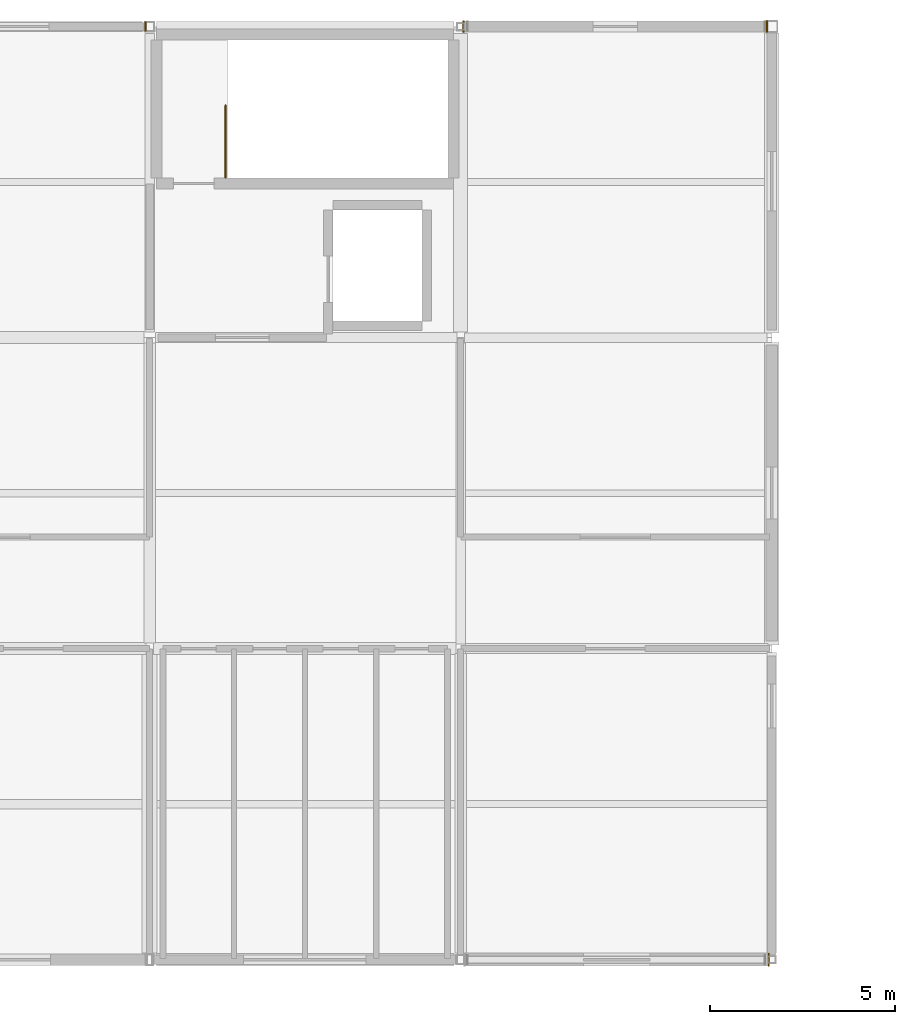
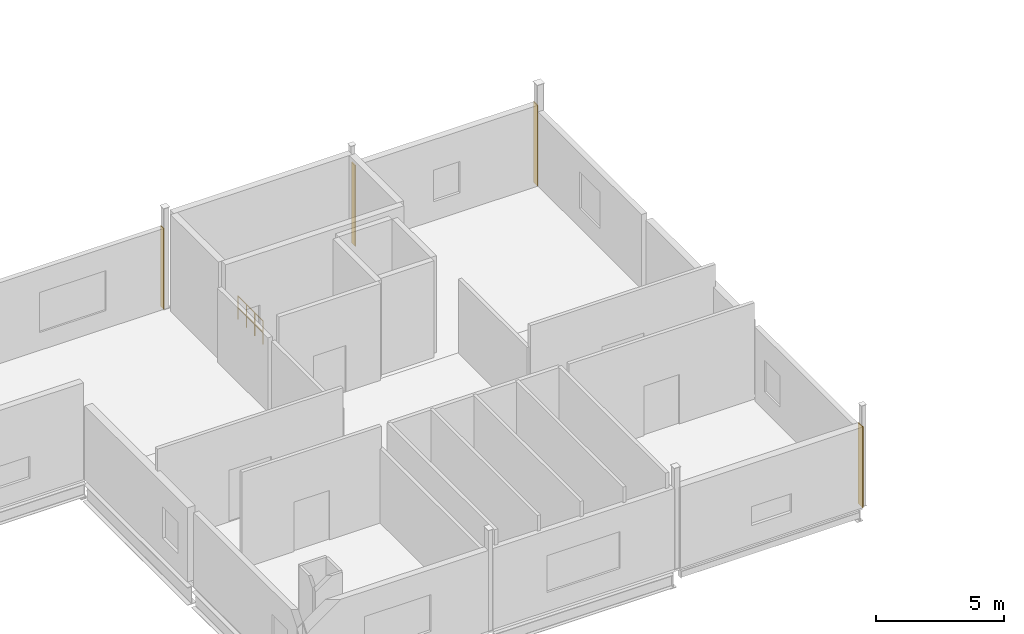
# One storey, part 25 of 27: 4 coverings, 1 railing.
"""IFC4 building model written with IfcOpenShell, lengths in metres."""

from ifc_helpers import new_model, si_unit, direction, frame, origin, origin_2d, place, context, subcontext, project, spatial, polyline, circle, outline, extrude, material, layer, layer_set, type_object, element, save


model = new_model("IFC4")

# Units and contexts
model_context = context("Model", 3, precision=1e-05, world=origin(), true_north=direction((0.0, 1.0)))
body_context = subcontext(model_context, "Body", "Model", "MODEL_VIEW")
ifc_project = project(units=[si_unit("LENGTHUNIT", "METRE"), si_unit("AREAUNIT", "SQUARE_METRE"), si_unit("VOLUMEUNIT", "CUBIC_METRE"), si_unit("PLANEANGLEUNIT", "RADIAN"), si_unit("MASSUNIT", "GRAM", prefix="KILO")], contexts=[model_context])

# Site, building, storey
site_placement = place(None, origin())
site = spatial("IfcSite", under=ifc_project, at=site_placement, CompositionType="ELEMENT")
building_placement = place(site_placement, origin())
building = spatial("IfcBuilding", under=site, at=building_placement, Name="Calvrana Isthmian Art Gallery", CompositionType="ELEMENT")
storey_placement = place(building_placement, frame((0.0, 0.0, 24.60009765625)))
storey = spatial("IfcBuildingStorey", under=building, at=storey_placement, Name="L05", CompositionType="ELEMENT", Elevation=24.60009765625)

# Coverings
ifc_material_1 = material(Name="Polychrome glazed terracotta", Category="masonry")
ifc_layer = layer(ifc_material_1, 0.0400390625, Name="Polychrome glazed terracotta")
ifc_layer_set = layer_set([ifc_layer], Name="Polychrome glazed terracotta")
covering_type = type_object("IfcCoveringType", Name="COV-CLAD-TERRA", PredefinedType="CLADDING", material=ifc_layer_set)
covering_1_placement = place(storey_placement, origin())
element("IfcCovering", 1, at=covering_1_placement, inside=storey, type_object=covering_type, Name="Column pocket weather closure L05-09-03-E", PredefinedType="CLADDING", context=body_context, shape_type="SweptSolid", body=[
    extrude(outline(polyline([(80.29833984375, 21.425048828125), (80.33837890625, 21.425048828125), (80.33837890625, 21.77490234375), (80.29833984375, 21.77490234375), (80.29833984375, 21.425048828125)])), origin(), (0.0, 0.0, 1.0), 3.84228515625),
])
covering_2_placement = place(storey_placement, origin())
element("IfcCovering", 2, at=covering_2_placement, inside=storey, type_object=covering_type, Name="Column pocket weather closure L05-07-06-E", PredefinedType="CLADDING", context=body_context, shape_type="SweptSolid", body=[
    extrude(outline(polyline([(63.472900390625, 46.677978515625), (63.512939453125, 46.677978515625), (63.512939453125, 46.922119140625), (63.472900390625, 46.922119140625), (63.472900390625, 46.677978515625)])), origin(), (0.0, 0.0, 1.0), 3.84228515625),
])
covering_3_placement = place(storey_placement, origin())
element("IfcCovering", 3, at=covering_3_placement, inside=storey, type_object=covering_type, Name="Column pocket weather closure L05-09-06-W", PredefinedType="CLADDING", context=body_context, shape_type="SweptSolid", body=[
    extrude(outline(polyline([(72.0615234375, 46.64990234375), (72.1015625, 46.64990234375), (72.1015625, 46.949951171875), (72.0615234375, 46.949951171875), (72.0615234375, 46.64990234375)])), origin(), (0.0, 0.0, 1.0), 3.84228515625),
])
covering_4_placement = place(storey_placement, origin())
element("IfcCovering", 4, at=covering_4_placement, inside=storey, type_object=covering_type, Name="Column pocket weather closure L05-09-06-E", PredefinedType="CLADDING", context=body_context, shape_type="SweptSolid", body=[
    extrude(outline(polyline([(80.24755859375, 46.64990234375), (80.28759765625, 46.64990234375), (80.28759765625, 46.949951171875), (80.24755859375, 46.949951171875), (80.24755859375, 46.64990234375)])), origin(), (0.0, 0.0, 1.0), 3.84228515625),
])

# Railing
ifc_material_2 = material(Name="Stainless steel 316", Category="steel")
railing_type = type_object("IfcRailingType", Name="RL-GUARD-1120", PredefinedType="BALUSTRADE", material=ifc_material_2)
railing_placement = place(storey_placement, frame((65.64990234375, 42.7099609375, 0.0)))
element("IfcRailing", 5, at=railing_placement, inside=storey, type_object=railing_type, Name="Stair ST-2 top well guard 1", PredefinedType="BALUSTRADE", context=body_context, shape_type="SweptSolid", body=[
    extrude(circle(Radius=0.02392578125, at=origin_2d()), frame((0.0, 0.0, 1.09619140625), z_axis=(0.0, 1.0, 0.0), x_axis=(-1.0, 0.0, 0.0)), (0.0, 0.0, 1.0), 1.9599609375),
    extrude(circle(Radius=0.02392578125, at=origin_2d()), frame((0.0, 0.0, 0.56005859375), z_axis=(0.0, 1.0, 0.0), x_axis=(-1.0, 0.0, 0.0)), (0.0, 0.0, 1.0), 1.9599609375),
    extrude(circle(Radius=0.02099609375, at=origin_2d()), origin(), (0.0, 0.0, 1.0), 1.072021484375),
    extrude(circle(Radius=0.02099609375, at=origin_2d()), frame((0.0, 0.6533203125, 0.0)), (0.0, 0.0, 1.0), 1.072021484375),
    extrude(circle(Radius=0.02099609375, at=origin_2d()), frame((0.0, 1.306640625, 0.0)), (0.0, 0.0, 1.0), 1.072021484375),
    extrude(circle(Radius=0.02099609375, at=origin_2d()), frame((0.0, 1.9599609375, 0.0)), (0.0, 0.0, 1.0), 1.072021484375),
])

save(model, "model.ifc")
